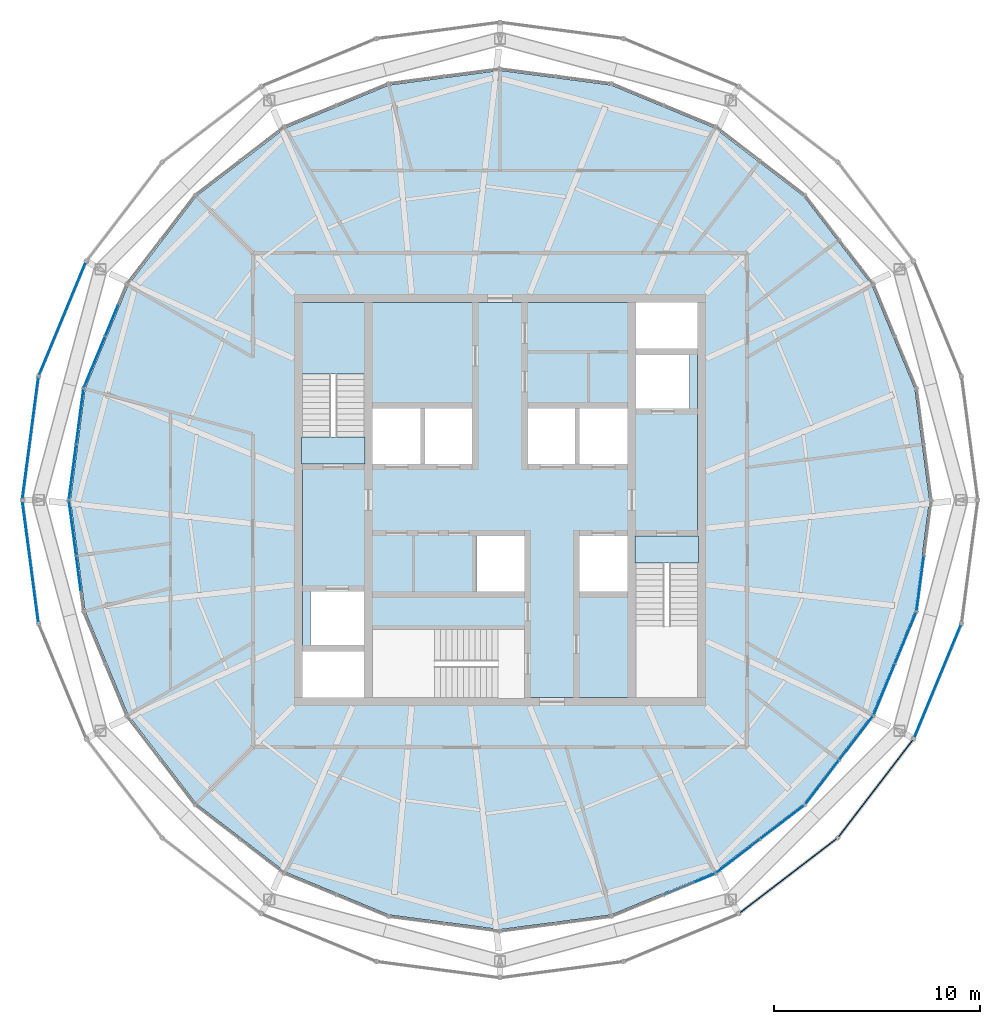
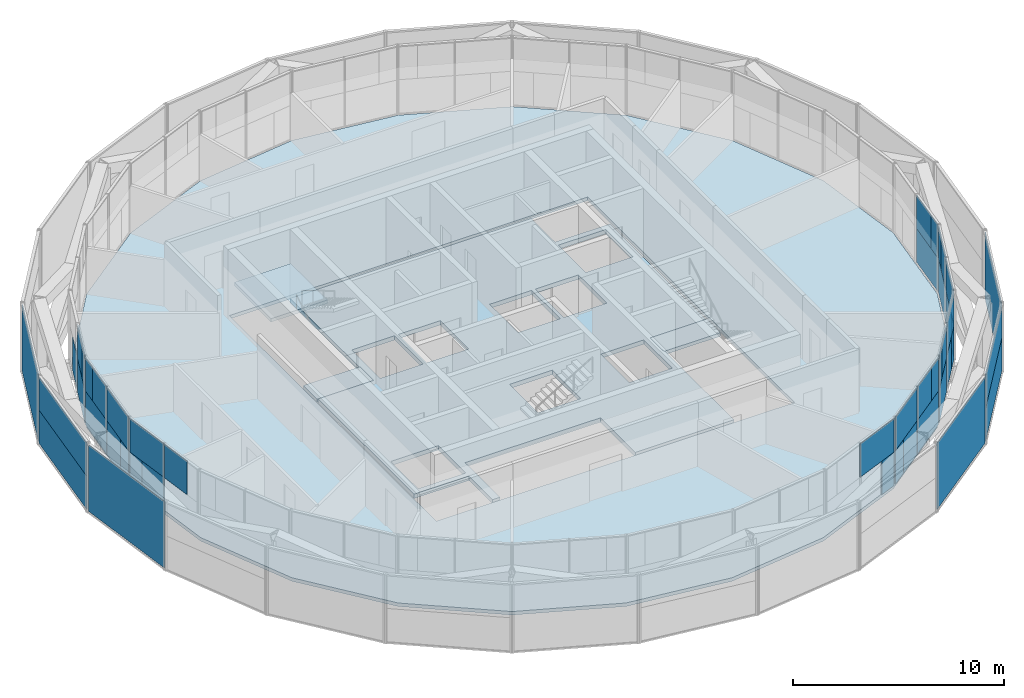
# One storey, part 11 of 17: 45 plates, 5 slabs, 15 elements without a shape of their own.
"""IFC4 building model written with IfcOpenShell, lengths in metres."""

from ifc_helpers import new_model, si_unit, direction, frame, origin, origin_2d, place, context, subcontext, project, spatial, polyline, rectangle, outline, extrude, material, layer, layer_set, type_object, element, aggregate, save


model = new_model("IFC4")

# Units and contexts
model_context = context("Model", 3, precision=1e-05, world=origin(), true_north=direction((0.0, 1.0)))
body_context = subcontext(model_context, "Body", "Model", "MODEL_VIEW")
ifc_project = project(units=[si_unit("LENGTHUNIT", "METRE"), si_unit("AREAUNIT", "SQUARE_METRE"), si_unit("VOLUMEUNIT", "CUBIC_METRE"), si_unit("PLANEANGLEUNIT", "RADIAN"), si_unit("MASSUNIT", "GRAM", prefix="KILO")], contexts=[model_context])

# Site, building, storey
site_placement = place(None, origin())
site = spatial("IfcSite", under=ifc_project, at=site_placement, CompositionType="ELEMENT")
building_placement = place(site_placement, origin())
building = spatial("IfcBuilding", under=site, at=building_placement, Name="Golbaran Civic Tower", CompositionType="ELEMENT")
storey_placement = place(building_placement, frame((0.0, 0.0, 280.0)))
storey = spatial("IfcBuildingStorey", under=building, at=storey_placement, Name="L68", CompositionType="ELEMENT", Elevation=280.0)

# Slabs
ifc_material_1 = material(Name="Concrete LC30/33 lightweight on steel deck", Category="concrete")
ifc_layer_1 = layer(ifc_material_1, 0.199951171875, Name="Concrete LC30/33 lightweight on steel deck")
ifc_layer_set_1 = layer_set([ifc_layer_1], Name="Concrete LC30/33 lightweight on steel deck")
slab_type_1 = type_object("IfcSlabType", Name="COMPOSITE FLOOR SLAB 200", PredefinedType="FLOOR", material=ifc_layer_set_1)
slab_1_placement = place(storey_placement, frame((0.0, 0.0, -0.199951171875)))
element("IfcSlab", 1, at=slab_1_placement, inside=storey, type_object=slab_type_1, Name="Floor slab L68", PredefinedType="FLOOR", context=body_context, shape_type="SweptSolid", body=[
    extrude(outline(polyline([(18.06201171875, -10.42822265625), (14.74755859375, -14.74755859375), (10.42822265625, -18.06201171875), (5.39794921875, -20.145751953125), (0.0, -20.856201171875), (-5.39794921875, -20.145751953125), (-10.42822265625, -18.06201171875), (-14.74755859375, -14.74755859375), (-18.06201171875, -10.42822265625), (-20.145751953125, -5.39794921875), (-20.856201171875, 0.0), (-20.145751953125, 5.39794921875), (-18.06201171875, 10.42822265625), (-14.74755859375, 14.74755859375), (-10.42822265625, 18.06201171875), (-5.39794921875, 20.145751953125), (0.0, 20.856201171875), (5.39794921875, 20.145751953125), (10.42822265625, 18.06201171875), (14.74755859375, 14.74755859375), (18.06201171875, 10.42822265625), (20.145751953125, 5.39794921875), (20.856201171875, 0.0), (20.145751953125, -5.39794921875), (18.06201171875, -10.42822265625)]), holes=[polyline([(-9.800048828125, 9.800048828125), (-9.800048828125, -9.800048828125), (9.800048828125, -9.800048828125), (9.800048828125, 9.800048828125), (-9.800048828125, 9.800048828125)])]), origin(), (0.0, 0.0, 1.0), 0.199951171875),
])
ifc_material_2 = material(Name="Concrete C35/45", Category="concrete")
ifc_layer_2 = layer(ifc_material_2, 0.25, Name="Concrete C35/45")
ifc_layer_set_2 = layer_set([ifc_layer_2], Name="Concrete C35/45")
slab_type_2 = type_object("IfcSlabType", Name="CORE FLOOR SLAB 250", PredefinedType="FLOOR", material=ifc_layer_set_2)
slab_2_placement = place(storey_placement, frame((0.0, 0.0, -0.25)))
element("IfcSlab", 2, at=slab_2_placement, inside=storey, type_object=slab_type_2, Name="Core floor slab L68", PredefinedType="FLOOR", context=body_context, shape_type="SweptSolid", body=[
    extrude(outline(polyline([(6.60009765625, -1.75), (6.60009765625, -9.60009765625), (1.199951171875, -9.60009765625), (1.199951171875, -6.300048828125), (-6.199951171875, -6.300048828125), (-6.199951171875, -9.60009765625), (-6.60009765625, -9.60009765625), (-6.60009765625, -7.35009765625), (-9.60009765625, -7.35009765625), (-9.60009765625, 1.75), (-6.60009765625, 1.75), (-6.60009765625, 9.60009765625), (6.60009765625, 9.60009765625), (6.60009765625, 7.35009765625), (9.60009765625, 7.35009765625), (9.60009765625, -1.75), (6.60009765625, -1.75)]), holes=[polyline([(9.199951171875, 7.050048828125), (6.60009765625, 7.050048828125), (6.60009765625, 4.449951171875), (9.199951171875, 4.449951171875), (9.199951171875, 7.050048828125)]), polyline([(6.199951171875, -1.75), (3.85009765625, -1.75), (3.85009765625, -4.449951171875), (6.199951171875, -4.449951171875), (6.199951171875, -1.75)]), polyline([(6.199951171875, 4.449951171875), (3.85009765625, 4.449951171875), (3.85009765625, 1.75), (6.199951171875, 1.75), (6.199951171875, 4.449951171875)]), polyline([(3.64990234375, 4.449951171875), (1.35009765625, 4.449951171875), (1.35009765625, 1.75), (3.64990234375, 1.75), (3.64990234375, 4.449951171875)]), polyline([(-1.14990234375, -1.75), (-1.14990234375, -4.449951171875), (1.199951171875, -4.449951171875), (1.199951171875, -1.75), (-1.14990234375, -1.75)]), polyline([(-1.35009765625, 4.449951171875), (-3.64990234375, 4.449951171875), (-3.64990234375, 1.75), (-1.35009765625, 1.75), (-1.35009765625, 4.449951171875)]), polyline([(-3.85009765625, 4.449951171875), (-6.199951171875, 4.449951171875), (-6.199951171875, 1.75), (-3.85009765625, 1.75), (-3.85009765625, 4.449951171875)]), polyline([(-6.60009765625, -4.449951171875), (-9.199951171875, -4.449951171875), (-9.199951171875, -7.050048828125), (-6.60009765625, -7.050048828125), (-6.60009765625, -4.449951171875)])]), origin(), (0.0, 0.0, 1.0), 0.25),
])

# Curtain wall, plate
ifc_material_3 = material(Name="Aluminium and glass", Category="aluminium")
curtain_wall_type_1 = type_object("IfcCurtainWallType", Name="INNER SKIN CURTAIN WALL EXECUTIVE", PredefinedType="NOTDEFINED", material=ifc_material_3)
curtain_wall_1_placement = place(storey_placement, origin())
curtain_wall_1 = element("IfcCurtainWall", 3, at=curtain_wall_1_placement, inside=storey, type_object=curtain_wall_type_1, Name="Inner skin L68 facet 11 CW2", ObjectType="INNER SKIN", PredefinedType="USERDEFINED")
ifc_material_4 = material(Name="Clear insulating glass", Category="glass")
ifc_layer_3 = layer(ifc_material_4, 0.031982421875, Name="Clear insulating glass")
ifc_layer_set_3 = layer_set([ifc_layer_3], Name="Clear insulating glass")
plate_type_1 = type_object("IfcPlateType", Name="INNER SKIN CURTAIN WALL EXECUTIVE GLAZED PANEL", PredefinedType="CURTAIN_PANEL", material=ifc_layer_set_3)
plate_1_placement = place(storey_placement, frame((-20.02880859375, 5.88916015625, 2.0), z_axis=(0.0, 0.0, 1.0), x_axis=(-0.382683432349, -0.923879532518, 0.0)))
plate_1 = element("IfcPlate", 4, at=plate_1_placement, type_object=plate_type_1, Name="CW2 panel 2.1 part 3", PredefinedType="CURTAIN_PANEL", context=body_context, shape_type="SweptSolid", body=[
    extrude(rectangle(XDim=0.897705078125, YDim=0.031982421875, at=origin_2d()), origin(), (0.0, 0.0, 1.0), 1.93994140625),
])

# Curtain wall, plates
curtain_wall_2_placement = place(storey_placement, origin())
curtain_wall_2 = element("IfcCurtainWall", 5, at=curtain_wall_2_placement, inside=storey, type_object=curtain_wall_type_1, Name="Inner skin L68 facet 12 CW2", ObjectType="INNER SKIN", PredefinedType="USERDEFINED")
plate_2_placement = place(storey_placement, frame((-20.2900390625, 4.914794921875, 2.0), z_axis=(0.0, 0.0, 1.0), x_axis=(-0.130526192237, -0.991444861372, 0.0)))
plate_2 = element("IfcPlate", 6, at=plate_2_placement, type_object=plate_type_1, Name="CW2 panel 1.1 part 2", PredefinedType="CURTAIN_PANEL", context=body_context, shape_type="SweptSolid", body=[
    extrude(rectangle(XDim=0.89697265625, YDim=0.031982421875, at=origin_2d()), origin(), (0.0, 0.0, 1.0), 1.93994140625),
])
plate_3_placement = place(storey_placement, frame((-20.865966796875, 0.540283203125, 0.06005859375), z_axis=(0.0, 0.0, 1.0), x_axis=(-0.130526192237, -0.991444861372, 0.0)))
plate_3 = element("IfcPlate", 7, at=plate_3_placement, type_object=plate_type_1, Name="CW2 panel 2.1 part 2", PredefinedType="CURTAIN_PANEL", context=body_context, shape_type="SweptSolid", body=[
    extrude(rectangle(XDim=0.9697265625, YDim=0.031982421875, at=origin_2d()), origin(), (0.0, 0.0, 1.0), 1.93994140625),
])

# Curtain wall, plate
curtain_wall_3_placement = place(storey_placement, origin())
curtain_wall_3 = element("IfcCurtainWall", 8, at=curtain_wall_3_placement, inside=storey, type_object=curtain_wall_type_1, Name="Inner skin L68 facet 13 CW2", ObjectType="INNER SKIN", PredefinedType="USERDEFINED")
plate_4_placement = place(storey_placement, frame((-20.865966796875, -0.540283203125, 0.06005859375), z_axis=(0.0, 0.0, 1.0), x_axis=(0.130526192237, -0.991444861372, 0.0)))
plate_4 = element("IfcPlate", 9, at=plate_4_placement, type_object=plate_type_1, Name="CW2 panel 1.1 part 1", PredefinedType="CURTAIN_PANEL", context=body_context, shape_type="SweptSolid", body=[
    extrude(rectangle(XDim=0.969970703125, YDim=0.031982421875, at=origin_2d()), origin(), (0.0, 0.0, 1.0), 1.93994140625),
])

curtain_wall_4_placement = place(storey_placement, origin())
curtain_wall_4 = element("IfcCurtainWall", 10, at=curtain_wall_4_placement, inside=storey, type_object=curtain_wall_type_1, Name="Inner skin L68 facet 20 CW2", ObjectType="INNER SKIN", PredefinedType="USERDEFINED")
plate_5_placement = place(storey_placement, frame((9.965087890625, -18.340576171875, 0.06005859375), z_axis=(0.0, 0.0, 1.0), x_axis=(0.923879532518, 0.382683432349, 0.0)))
plate_5 = element("IfcPlate", 11, at=plate_5_placement, type_object=plate_type_1, Name="CW2 panel 2.1 part 2", PredefinedType="CURTAIN_PANEL", context=body_context, shape_type="SweptSolid", body=[
    extrude(rectangle(XDim=0.9697265625, YDim=0.031982421875, at=origin_2d()), origin(), (0.0, 0.0, 1.0), 1.93994140625),
])

# Curtain wall, plates
curtain_wall_5_placement = place(storey_placement, origin())
curtain_wall_5 = element("IfcCurtainWall", 12, at=curtain_wall_5_placement, inside=storey, type_object=curtain_wall_type_1, Name="Inner skin L68 facet 21 CW2", ObjectType="INNER SKIN", PredefinedType="USERDEFINED")
plate_6_placement = place(storey_placement, frame((10.90087890625, -17.80029296875, 0.06005859375), z_axis=(0.0, 0.0, 1.0), x_axis=(0.793353340344, 0.608761428939, 0.0)))
plate_6 = element("IfcPlate", 13, at=plate_6_placement, type_object=plate_type_1, Name="CW2 panel 1.1 part 1", PredefinedType="CURTAIN_PANEL", context=body_context, shape_type="SweptSolid", body=[
    extrude(rectangle(XDim=0.969970703125, YDim=0.031982421875, at=origin_2d()), origin(), (0.0, 0.0, 1.0), 1.93994140625),
])
plate_7_placement = place(storey_placement, frame((14.40087890625, -15.114501953125, 2.0), z_axis=(0.0, 0.0, 1.0), x_axis=(0.793353340344, 0.608761428939, 0.0)))
plate_7 = element("IfcPlate", 14, at=plate_7_placement, type_object=plate_type_1, Name="CW2 panel 2.1 part 3", PredefinedType="CURTAIN_PANEL", context=body_context, shape_type="SweptSolid", body=[
    extrude(rectangle(XDim=0.897705078125, YDim=0.031982421875, at=origin_2d()), origin(), (0.0, 0.0, 1.0), 1.93994140625),
])

curtain_wall_6_placement = place(storey_placement, origin())
curtain_wall_6 = element("IfcCurtainWall", 15, at=curtain_wall_6_placement, inside=storey, type_object=curtain_wall_type_1, Name="Inner skin L68 facet 22 CW2", ObjectType="INNER SKIN", PredefinedType="USERDEFINED")
plate_8_placement = place(storey_placement, frame((15.1142578125, -14.4013671875, 2.0), z_axis=(0.0, 0.0, 1.0), x_axis=(0.608761428939, 0.793353340344, 0.0)))
plate_8 = element("IfcPlate", 16, at=plate_8_placement, type_object=plate_type_1, Name="CW2 panel 1.1 part 2", PredefinedType="CURTAIN_PANEL", context=body_context, shape_type="SweptSolid", body=[
    extrude(rectangle(XDim=0.89697265625, YDim=0.031982421875, at=origin_2d()), origin(), (0.0, 0.0, 1.0), 1.93994140625),
])
plate_9_placement = place(storey_placement, frame((17.80029296875, -10.90087890625, 0.06005859375), z_axis=(0.0, 0.0, 1.0), x_axis=(0.608761428939, 0.793353340344, 0.0)))
plate_9 = element("IfcPlate", 17, at=plate_9_placement, type_object=plate_type_1, Name="CW2 panel 2.1 part 2", PredefinedType="CURTAIN_PANEL", context=body_context, shape_type="SweptSolid", body=[
    extrude(rectangle(XDim=0.9697265625, YDim=0.031982421875, at=origin_2d()), origin(), (0.0, 0.0, 1.0), 1.93994140625),
])

curtain_wall_7_placement = place(storey_placement, origin())
curtain_wall_7 = element("IfcCurtainWall", 18, at=curtain_wall_7_placement, inside=storey, type_object=curtain_wall_type_1, Name="Inner skin L68 facet 23 CW2", ObjectType="INNER SKIN", PredefinedType="USERDEFINED")
plate_10_placement = place(storey_placement, frame((18.340576171875, -9.965087890625, 0.06005859375), z_axis=(0.0, 0.0, 1.0), x_axis=(0.382683432349, 0.923879532518, 0.0)))
plate_10 = element("IfcPlate", 19, at=plate_10_placement, type_object=plate_type_1, Name="CW2 panel 1.1 part 1", PredefinedType="CURTAIN_PANEL", context=body_context, shape_type="SweptSolid", body=[
    extrude(rectangle(XDim=0.969970703125, YDim=0.031982421875, at=origin_2d()), origin(), (0.0, 0.0, 1.0), 1.93994140625),
])
plate_11_placement = place(storey_placement, frame((20.02880859375, -5.88916015625, 2.0), z_axis=(0.0, 0.0, 1.0), x_axis=(0.382683432349, 0.923879532518, 0.0)))
plate_11 = element("IfcPlate", 20, at=plate_11_placement, type_object=plate_type_1, Name="CW2 panel 2.1 part 3", PredefinedType="CURTAIN_PANEL", context=body_context, shape_type="SweptSolid", body=[
    extrude(rectangle(XDim=0.897705078125, YDim=0.031982421875, at=origin_2d()), origin(), (0.0, 0.0, 1.0), 1.93994140625),
])

# Curtain wall, plate
curtain_wall_8_placement = place(storey_placement, origin())
curtain_wall_8 = element("IfcCurtainWall", 21, at=curtain_wall_8_placement, inside=storey, type_object=curtain_wall_type_1, Name="Inner skin L68 facet 24 CW2", ObjectType="INNER SKIN", PredefinedType="USERDEFINED")
plate_12_placement = place(storey_placement, frame((20.2900390625, -4.914794921875, 2.0), z_axis=(0.0, 0.0, 1.0), x_axis=(0.130526192237, 0.991444861372, 0.0)))
plate_12 = element("IfcPlate", 22, at=plate_12_placement, type_object=plate_type_1, Name="CW2 panel 1.1 part 2", PredefinedType="CURTAIN_PANEL", context=body_context, shape_type="SweptSolid", body=[
    extrude(rectangle(XDim=0.89697265625, YDim=0.031982421875, at=origin_2d()), origin(), (0.0, 0.0, 1.0), 1.93994140625),
])

# Plate
ifc_material_5 = material(Name="Aluminium faced opaque infill panel", Category="aluminium")
ifc_layer_4 = layer(ifc_material_5, 0.031982421875, Name="Aluminium faced opaque infill panel")
ifc_layer_set_4 = layer_set([ifc_layer_4], Name="Aluminium faced opaque infill panel")
plate_type_2 = type_object("IfcPlateType", Name="INNER SKIN CURTAIN WALL EXECUTIVE OPAQUE INFILL PANEL", PredefinedType="CURTAIN_PANEL", material=ifc_layer_set_4)
plate_13_placement = place(storey_placement, frame((-18.84619140625, 8.744140625, 0.06005859375), z_axis=(0.0, 0.0, 1.0), x_axis=(-0.382683432349, -0.923879532518, 0.0)))
plate_13 = element("IfcPlate", 23, at=plate_13_placement, type_object=plate_type_2, Name="CW2 infill panel 1.1 part 2", PredefinedType="CURTAIN_PANEL", context=body_context, shape_type="SweptSolid", body=[
    extrude(rectangle(XDim=1.6728515625, YDim=0.031982421875, at=origin_2d()), origin(), (0.0, 0.0, 1.0), 1.93994140625),
])

plate_14_placement = place(storey_placement, frame((-19.69482421875, 6.695068359375, 0.06005859375), z_axis=(0.0, 0.0, 1.0), x_axis=(-0.382683432349, -0.923879532518, 0.0)))
plate_14 = element("IfcPlate", 24, at=plate_14_placement, type_object=plate_type_2, Name="CW2 infill panel 2.1 part 1", PredefinedType="CURTAIN_PANEL", context=body_context, shape_type="SweptSolid", body=[
    extrude(rectangle(XDim=2.642822265625, YDim=0.031982421875, at=origin_2d()), origin(), (0.0, 0.0, 1.0), 1.93994140625),
])

plate_15_placement = place(storey_placement, frame((-19.523193359375, 7.10986328125, 2.0), z_axis=(0.0, 0.0, 1.0), x_axis=(-0.382683432349, -0.923879532518, 0.0)))
plate_15 = element("IfcPlate", 25, at=plate_15_placement, type_object=plate_type_2, Name="CW2 infill panel 2.1 part 2", PredefinedType="CURTAIN_PANEL", context=body_context, shape_type="SweptSolid", body=[
    extrude(rectangle(XDim=1.7451171875, YDim=0.031982421875, at=origin_2d()), origin(), (0.0, 0.0, 1.0), 1.93994140625),
])

aggregate(curtain_wall_1, [plate_13, plate_14, plate_15, plate_1])

plate_16_placement = place(storey_placement, frame((-20.40380859375, 4.04931640625, 0.06005859375), z_axis=(0.0, 0.0, 1.0), x_axis=(-0.130526192237, -0.991444861372, 0.0)))
plate_16 = element("IfcPlate", 26, at=plate_16_placement, type_object=plate_type_2, Name="CW2 infill panel 1.1 part 1", PredefinedType="CURTAIN_PANEL", context=body_context, shape_type="SweptSolid", body=[
    extrude(rectangle(XDim=2.642822265625, YDim=0.031982421875, at=origin_2d()), origin(), (0.0, 0.0, 1.0), 1.93994140625),
])

plate_17_placement = place(storey_placement, frame((-20.46240234375, 3.604736328125, 2.0), z_axis=(0.0, 0.0, 1.0), x_axis=(-0.130526192237, -0.991444861372, 0.0)))
plate_17 = element("IfcPlate", 27, at=plate_17_placement, type_object=plate_type_2, Name="CW2 infill panel 1.1 part 3", PredefinedType="CURTAIN_PANEL", context=body_context, shape_type="SweptSolid", body=[
    extrude(rectangle(XDim=1.745849609375, YDim=0.031982421875, at=origin_2d()), origin(), (0.0, 0.0, 1.0), 1.93994140625),
])

plate_18_placement = place(storey_placement, frame((-20.693359375, 1.850341796875, 0.06005859375), z_axis=(0.0, 0.0, 1.0), x_axis=(-0.130526192237, -0.991444861372, 0.0)))
plate_18 = element("IfcPlate", 28, at=plate_18_placement, type_object=plate_type_2, Name="CW2 infill panel 2.1 part 1", PredefinedType="CURTAIN_PANEL", context=body_context, shape_type="SweptSolid", body=[
    extrude(rectangle(XDim=1.673095703125, YDim=0.031982421875, at=origin_2d()), origin(), (0.0, 0.0, 1.0), 1.93994140625),
])

plate_19_placement = place(storey_placement, frame((-20.756591796875, 1.36962890625, 2.0), z_axis=(0.0, 0.0, 1.0), x_axis=(-0.130526192237, -0.991444861372, 0.0)))
plate_19 = element("IfcPlate", 29, at=plate_19_placement, type_object=plate_type_2, Name="CW2 infill panel 2.1 part 3", PredefinedType="CURTAIN_PANEL", context=body_context, shape_type="SweptSolid", body=[
    extrude(rectangle(XDim=2.642822265625, YDim=0.031982421875, at=origin_2d()), origin(), (0.0, 0.0, 1.0), 1.93994140625),
])

aggregate(curtain_wall_2, [plate_16, plate_2, plate_17, plate_18, plate_3, plate_19])

plate_20_placement = place(storey_placement, frame((-20.693359375, -1.850341796875, 0.06005859375), z_axis=(0.0, 0.0, 1.0), x_axis=(0.130526192237, -0.991444861372, 0.0)))
plate_20 = element("IfcPlate", 30, at=plate_20_placement, type_object=plate_type_2, Name="CW2 infill panel 1.1 part 2", PredefinedType="CURTAIN_PANEL", context=body_context, shape_type="SweptSolid", body=[
    extrude(rectangle(XDim=1.6728515625, YDim=0.031982421875, at=origin_2d()), origin(), (0.0, 0.0, 1.0), 1.93994140625),
])

plate_21_placement = place(storey_placement, frame((-20.756591796875, -1.36962890625, 2.0), z_axis=(0.0, 0.0, 1.0), x_axis=(0.130526192237, -0.991444861372, 0.0)))
plate_21 = element("IfcPlate", 31, at=plate_21_placement, type_object=plate_type_2, Name="CW2 infill panel 1.1 part 3", PredefinedType="CURTAIN_PANEL", context=body_context, shape_type="SweptSolid", body=[
    extrude(rectangle(XDim=2.642822265625, YDim=0.031982421875, at=origin_2d()), origin(), (0.0, 0.0, 1.0), 1.93994140625),
])

plate_22_placement = place(storey_placement, frame((-20.46240234375, -3.604248046875, 2.0), z_axis=(0.0, 0.0, 1.0), x_axis=(0.130526192237, -0.991444861372, 0.0)))
plate_22 = element("IfcPlate", 32, at=plate_22_placement, type_object=plate_type_2, Name="CW2 infill panel 2.1 part 2", PredefinedType="CURTAIN_PANEL", context=body_context, shape_type="SweptSolid", body=[
    extrude(rectangle(XDim=1.7451171875, YDim=0.031982421875, at=origin_2d()), origin(), (0.0, 0.0, 1.0), 1.93994140625),
])

aggregate(curtain_wall_3, [plate_4, plate_20, plate_21, plate_22])

plate_23_placement = place(storey_placement, frame((9.192138671875, -18.66064453125, 2.0), z_axis=(0.0, 0.0, 1.0), x_axis=(0.923879532518, 0.382683432349, 0.0)))
plate_23 = element("IfcPlate", 33, at=plate_23_placement, type_object=plate_type_2, Name="CW2 infill panel 2.1 part 3", PredefinedType="CURTAIN_PANEL", context=body_context, shape_type="SweptSolid", body=[
    extrude(rectangle(XDim=2.642822265625, YDim=0.031982421875, at=origin_2d()), origin(), (0.0, 0.0, 1.0), 1.93994140625),
])

aggregate(curtain_wall_4, [plate_5, plate_23])

plate_24_placement = place(storey_placement, frame((11.94921875, -16.995849609375, 0.06005859375), z_axis=(0.0, 0.0, 1.0), x_axis=(0.793353340344, 0.608761428939, 0.0)))
plate_24 = element("IfcPlate", 34, at=plate_24_placement, type_object=plate_type_2, Name="CW2 infill panel 1.1 part 2", PredefinedType="CURTAIN_PANEL", context=body_context, shape_type="SweptSolid", body=[
    extrude(rectangle(XDim=1.6728515625, YDim=0.031982421875, at=origin_2d()), origin(), (0.0, 0.0, 1.0), 1.93994140625),
])

plate_25_placement = place(storey_placement, frame((11.564453125, -17.291015625, 2.0), z_axis=(0.0, 0.0, 1.0), x_axis=(0.793353340344, 0.608761428939, 0.0)))
plate_25 = element("IfcPlate", 35, at=plate_25_placement, type_object=plate_type_2, Name="CW2 infill panel 1.1 part 3", PredefinedType="CURTAIN_PANEL", context=body_context, shape_type="SweptSolid", body=[
    extrude(rectangle(XDim=2.642822265625, YDim=0.031982421875, at=origin_2d()), origin(), (0.0, 0.0, 1.0), 1.93994140625),
])

plate_26_placement = place(storey_placement, frame((13.708740234375, -15.645751953125, 0.06005859375), z_axis=(0.0, 0.0, 1.0), x_axis=(0.793353340344, 0.608761428939, 0.0)))
plate_26 = element("IfcPlate", 36, at=plate_26_placement, type_object=plate_type_2, Name="CW2 infill panel 2.1 part 1", PredefinedType="CURTAIN_PANEL", context=body_context, shape_type="SweptSolid", body=[
    extrude(rectangle(XDim=2.642822265625, YDim=0.031982421875, at=origin_2d()), origin(), (0.0, 0.0, 1.0), 1.93994140625),
])

plate_27_placement = place(storey_placement, frame((13.3525390625, -15.9189453125, 2.0), z_axis=(0.0, 0.0, 1.0), x_axis=(0.793353340344, 0.608761428939, 0.0)))
plate_27 = element("IfcPlate", 37, at=plate_27_placement, type_object=plate_type_2, Name="CW2 infill panel 2.1 part 2", PredefinedType="CURTAIN_PANEL", context=body_context, shape_type="SweptSolid", body=[
    extrude(rectangle(XDim=1.7451171875, YDim=0.031982421875, at=origin_2d()), origin(), (0.0, 0.0, 1.0), 1.93994140625),
])

aggregate(curtain_wall_5, [plate_6, plate_24, plate_25, plate_26, plate_27, plate_7])

plate_28_placement = place(storey_placement, frame((15.645751953125, -13.708740234375, 0.06005859375), z_axis=(0.0, 0.0, 1.0), x_axis=(0.608761428939, 0.793353340344, 0.0)))
plate_28 = element("IfcPlate", 38, at=plate_28_placement, type_object=plate_type_2, Name="CW2 infill panel 1.1 part 1", PredefinedType="CURTAIN_PANEL", context=body_context, shape_type="SweptSolid", body=[
    extrude(rectangle(XDim=2.642822265625, YDim=0.031982421875, at=origin_2d()), origin(), (0.0, 0.0, 1.0), 1.93994140625),
])

plate_29_placement = place(storey_placement, frame((15.918701171875, -13.35302734375, 2.0), z_axis=(0.0, 0.0, 1.0), x_axis=(0.608761428939, 0.793353340344, 0.0)))
plate_29 = element("IfcPlate", 39, at=plate_29_placement, type_object=plate_type_2, Name="CW2 infill panel 1.1 part 3", PredefinedType="CURTAIN_PANEL", context=body_context, shape_type="SweptSolid", body=[
    extrude(rectangle(XDim=1.745849609375, YDim=0.031982421875, at=origin_2d()), origin(), (0.0, 0.0, 1.0), 1.93994140625),
])

plate_30_placement = place(storey_placement, frame((16.995849609375, -11.94921875, 0.06005859375), z_axis=(0.0, 0.0, 1.0), x_axis=(0.608761428939, 0.793353340344, 0.0)))
plate_30 = element("IfcPlate", 40, at=plate_30_placement, type_object=plate_type_2, Name="CW2 infill panel 2.1 part 1", PredefinedType="CURTAIN_PANEL", context=body_context, shape_type="SweptSolid", body=[
    extrude(rectangle(XDim=1.673095703125, YDim=0.031982421875, at=origin_2d()), origin(), (0.0, 0.0, 1.0), 1.93994140625),
])

plate_31_placement = place(storey_placement, frame((17.291015625, -11.564453125, 2.0), z_axis=(0.0, 0.0, 1.0), x_axis=(0.608761428939, 0.793353340344, 0.0)))
plate_31 = element("IfcPlate", 41, at=plate_31_placement, type_object=plate_type_2, Name="CW2 infill panel 2.1 part 3", PredefinedType="CURTAIN_PANEL", context=body_context, shape_type="SweptSolid", body=[
    extrude(rectangle(XDim=2.642822265625, YDim=0.031982421875, at=origin_2d()), origin(), (0.0, 0.0, 1.0), 1.93994140625),
])

aggregate(curtain_wall_6, [plate_28, plate_8, plate_29, plate_30, plate_9, plate_31])

plate_32_placement = place(storey_placement, frame((18.84619140625, -8.744140625, 0.06005859375), z_axis=(0.0, 0.0, 1.0), x_axis=(0.382683432349, 0.923879532518, 0.0)))
plate_32 = element("IfcPlate", 42, at=plate_32_placement, type_object=plate_type_2, Name="CW2 infill panel 1.1 part 2", PredefinedType="CURTAIN_PANEL", context=body_context, shape_type="SweptSolid", body=[
    extrude(rectangle(XDim=1.6728515625, YDim=0.031982421875, at=origin_2d()), origin(), (0.0, 0.0, 1.0), 1.93994140625),
])

plate_33_placement = place(storey_placement, frame((18.66064453125, -9.192138671875, 2.0), z_axis=(0.0, 0.0, 1.0), x_axis=(0.382683432349, 0.923879532518, 0.0)))
plate_33 = element("IfcPlate", 43, at=plate_33_placement, type_object=plate_type_2, Name="CW2 infill panel 1.1 part 3", PredefinedType="CURTAIN_PANEL", context=body_context, shape_type="SweptSolid", body=[
    extrude(rectangle(XDim=2.642822265625, YDim=0.031982421875, at=origin_2d()), origin(), (0.0, 0.0, 1.0), 1.93994140625),
])

plate_34_placement = place(storey_placement, frame((19.69482421875, -6.695068359375, 0.06005859375), z_axis=(0.0, 0.0, 1.0), x_axis=(0.382683432349, 0.923879532518, 0.0)))
plate_34 = element("IfcPlate", 44, at=plate_34_placement, type_object=plate_type_2, Name="CW2 infill panel 2.1 part 1", PredefinedType="CURTAIN_PANEL", context=body_context, shape_type="SweptSolid", body=[
    extrude(rectangle(XDim=2.642822265625, YDim=0.031982421875, at=origin_2d()), origin(), (0.0, 0.0, 1.0), 1.93994140625),
])

plate_35_placement = place(storey_placement, frame((19.523193359375, -7.10986328125, 2.0), z_axis=(0.0, 0.0, 1.0), x_axis=(0.382683432349, 0.923879532518, 0.0)))
plate_35 = element("IfcPlate", 45, at=plate_35_placement, type_object=plate_type_2, Name="CW2 infill panel 2.1 part 2", PredefinedType="CURTAIN_PANEL", context=body_context, shape_type="SweptSolid", body=[
    extrude(rectangle(XDim=1.7451171875, YDim=0.031982421875, at=origin_2d()), origin(), (0.0, 0.0, 1.0), 1.93994140625),
])

aggregate(curtain_wall_7, [plate_10, plate_32, plate_33, plate_34, plate_35, plate_11])

plate_36_placement = place(storey_placement, frame((20.40380859375, -4.04931640625, 0.06005859375), z_axis=(0.0, 0.0, 1.0), x_axis=(0.130526192237, 0.991444861372, 0.0)))
plate_36 = element("IfcPlate", 46, at=plate_36_placement, type_object=plate_type_2, Name="CW2 infill panel 1.1 part 1", PredefinedType="CURTAIN_PANEL", context=body_context, shape_type="SweptSolid", body=[
    extrude(rectangle(XDim=2.642822265625, YDim=0.031982421875, at=origin_2d()), origin(), (0.0, 0.0, 1.0), 1.93994140625),
])

plate_37_placement = place(storey_placement, frame((20.46240234375, -3.604736328125, 2.0), z_axis=(0.0, 0.0, 1.0), x_axis=(0.130526192237, 0.991444861372, 0.0)))
plate_37 = element("IfcPlate", 47, at=plate_37_placement, type_object=plate_type_2, Name="CW2 infill panel 1.1 part 3", PredefinedType="CURTAIN_PANEL", context=body_context, shape_type="SweptSolid", body=[
    extrude(rectangle(XDim=1.745849609375, YDim=0.031982421875, at=origin_2d()), origin(), (0.0, 0.0, 1.0), 1.93994140625),
])

aggregate(curtain_wall_8, [plate_36, plate_12, plate_37])

# Curtain wall, plates
curtain_wall_type_2 = type_object("IfcCurtainWallType", Name="OUTER SKIN TERRACOTTA SCREEN", PredefinedType="NOTDEFINED", material=ifc_material_3)
curtain_wall_9_placement = place(storey_placement, origin())
curtain_wall_9 = element("IfcCurtainWall", 48, at=curtain_wall_9_placement, inside=storey, type_object=curtain_wall_type_2, Name="Outer skin L68 facet 12 CW3", ObjectType="OUTER SKIN", PredefinedType="USERDEFINED")
ifc_material_6 = material(Name="Terracotta baguette screen", Category="masonry")
ifc_layer_5 = layer(ifc_material_6, 0.0400390625, Name="Terracotta baguette screen")
ifc_layer_set_5 = layer_set([ifc_layer_5], Name="Terracotta baguette screen")
plate_type_3 = type_object("IfcPlateType", Name="OUTER SKIN TERRACOTTA INFILL PANEL", PredefinedType="CURTAIN_PANEL", material=ifc_layer_set_5)
plate_38_placement = place(storey_placement, frame((-22.8046875, 3.002197265625, -0.6298828125), z_axis=(0.0, 0.0, 1.0), x_axis=(-0.13052619222, -0.991444861374, 0.0)))
plate_38 = element("IfcPlate", 49, at=plate_38_placement, type_object=plate_type_3, Name="CW3 infill panel 1.1 part 1", PredefinedType="CURTAIN_PANEL", context=body_context, shape_type="SweptSolid", body=[
    extrude(rectangle(XDim=5.896484375, YDim=0.0400390625, at=origin_2d()), origin(), (0.0, 0.0, 1.0), 1.919921875),
])
plate_39_placement = place(storey_placement, frame((-22.8046875, 3.002197265625, 1.2900390625), z_axis=(0.0, 0.0, 1.0), x_axis=(-0.13052619222, -0.991444861374, 0.0)))
plate_39 = element("IfcPlate", 50, at=plate_39_placement, type_object=plate_type_3, Name="CW3 infill panel 1.1 part 2", PredefinedType="CURTAIN_PANEL", context=body_context, shape_type="SweptSolid", body=[
    extrude(rectangle(XDim=5.896484375, YDim=0.0400390625, at=origin_2d()), origin(), (0.0, 0.0, 1.0), 1.919921875),
])
aggregate(curtain_wall_9, [plate_38, plate_39])

curtain_wall_10_placement = place(storey_placement, origin())
curtain_wall_10 = element("IfcCurtainWall", 51, at=curtain_wall_10_placement, inside=storey, type_object=curtain_wall_type_2, Name="Outer skin L68 facet 22 CW3", ObjectType="OUTER SKIN", PredefinedType="USERDEFINED")
plate_40_placement = place(storey_placement, frame((18.248291015625, -14.00244140625, -0.6298828125), z_axis=(0.0, 0.0, 1.0), x_axis=(0.608761428939, 0.793353340344, 0.0)))
plate_40 = element("IfcPlate", 52, at=plate_40_placement, type_object=plate_type_3, Name="CW3 infill panel 1.1 part 1", PredefinedType="CURTAIN_PANEL", context=body_context, shape_type="SweptSolid", body=[
    extrude(rectangle(XDim=5.896484375, YDim=0.0400390625, at=origin_2d()), origin(), (0.0, 0.0, 1.0), 1.919921875),
])
plate_41_placement = place(storey_placement, frame((18.248291015625, -14.00244140625, 1.2900390625), z_axis=(0.0, 0.0, 1.0), x_axis=(0.608761428939, 0.793353340344, 0.0)))
plate_41 = element("IfcPlate", 53, at=plate_41_placement, type_object=plate_type_3, Name="CW3 infill panel 1.1 part 2", PredefinedType="CURTAIN_PANEL", context=body_context, shape_type="SweptSolid", body=[
    extrude(rectangle(XDim=5.896484375, YDim=0.0400390625, at=origin_2d()), origin(), (0.0, 0.0, 1.0), 1.919921875),
])
aggregate(curtain_wall_10, [plate_40, plate_41])

# Curtain wall, plate
curtain_wall_11_placement = place(storey_placement, origin())
curtain_wall_11 = element("IfcCurtainWall", 54, at=curtain_wall_11_placement, inside=storey, type_object=curtain_wall_type_2, Name="Outer skin L68 facet 11 CW3", ObjectType="OUTER SKIN", PredefinedType="USERDEFINED")
ifc_layer_6 = layer(ifc_material_6, 0.0400390625, Name="Terracotta baguette screen")
ifc_layer_set_6 = layer_set([ifc_layer_6], Name="Terracotta baguette screen")
plate_type_4 = type_object("IfcPlateType", Name="OUTER SKIN TERRACOTTA SCREEN PANEL", PredefinedType="CURTAIN_PANEL", material=ifc_layer_set_6)
plate_42_placement = place(storey_placement, frame((-21.250732421875, 8.80224609375, -0.6298828125), z_axis=(0.0, 0.0, 1.0), x_axis=(-0.382683432333, -0.923879532525, 0.0)))
plate_42 = element("IfcPlate", 55, at=plate_42_placement, type_object=plate_type_4, Name="CW3 terracotta screen panel 1.1", PredefinedType="CURTAIN_PANEL", context=body_context, shape_type="SweptSolid", body=[
    extrude(rectangle(XDim=5.896484375, YDim=0.0400390625, at=origin_2d()), origin(), (0.0, 0.0, 1.0), 3.840087890625),
])
aggregate(curtain_wall_11, [plate_42])

curtain_wall_12_placement = place(storey_placement, origin())
curtain_wall_12 = element("IfcCurtainWall", 56, at=curtain_wall_12_placement, inside=storey, type_object=curtain_wall_type_2, Name="Outer skin L68 facet 13 CW3", ObjectType="OUTER SKIN", PredefinedType="USERDEFINED")
plate_43_placement = place(storey_placement, frame((-22.8046875, -3.002197265625, -0.6298828125), z_axis=(0.0, 0.0, 1.0), x_axis=(0.13052619222, -0.991444861374, 0.0)))
plate_43 = element("IfcPlate", 57, at=plate_43_placement, type_object=plate_type_4, Name="CW3 terracotta screen panel 1.1", PredefinedType="CURTAIN_PANEL", context=body_context, shape_type="SweptSolid", body=[
    extrude(rectangle(XDim=5.896484375, YDim=0.0400390625, at=origin_2d()), origin(), (0.0, 0.0, 1.0), 3.840087890625),
])
aggregate(curtain_wall_12, [plate_43])

curtain_wall_13_placement = place(storey_placement, origin())
curtain_wall_13 = element("IfcCurtainWall", 58, at=curtain_wall_13_placement, inside=storey, type_object=curtain_wall_type_2, Name="Outer skin L68 facet 21 CW3", ObjectType="OUTER SKIN", PredefinedType="USERDEFINED")
plate_44_placement = place(storey_placement, frame((14.00244140625, -18.248291015625, -0.6298828125), z_axis=(0.0, 0.0, 1.0), x_axis=(0.793353340344, 0.608761428939, 0.0)))
plate_44 = element("IfcPlate", 59, at=plate_44_placement, type_object=plate_type_4, Name="CW3 terracotta screen panel 1.1", PredefinedType="CURTAIN_PANEL", context=body_context, shape_type="SweptSolid", body=[
    extrude(rectangle(XDim=5.896484375, YDim=0.0400390625, at=origin_2d()), origin(), (0.0, 0.0, 1.0), 3.840087890625),
])
aggregate(curtain_wall_13, [plate_44])

curtain_wall_14_placement = place(storey_placement, origin())
curtain_wall_14 = element("IfcCurtainWall", 60, at=curtain_wall_14_placement, inside=storey, type_object=curtain_wall_type_2, Name="Outer skin L68 facet 23 CW3", ObjectType="OUTER SKIN", PredefinedType="USERDEFINED")
plate_45_placement = place(storey_placement, frame((21.250732421875, -8.80224609375, -0.6298828125), z_axis=(0.0, 0.0, 1.0), x_axis=(0.382683432333, 0.923879532525, 0.0)))
plate_45 = element("IfcPlate", 61, at=plate_45_placement, type_object=plate_type_4, Name="CW3 terracotta screen panel 1.1", PredefinedType="CURTAIN_PANEL", context=body_context, shape_type="SweptSolid", body=[
    extrude(rectangle(XDim=5.896484375, YDim=0.0400390625, at=origin_2d()), origin(), (0.0, 0.0, 1.0), 3.840087890625),
])
aggregate(curtain_wall_14, [plate_45])

# Stair, slab
stair_type = type_object("IfcStairType", Name="EXIT STAIR 3000 x 7850, 4000 RISE", PredefinedType="HALF_TURN_STAIR", material=ifc_material_2)
stair_placement = place(storey_placement, origin())
stair = element("IfcStair", 62, at=stair_placement, inside=storey, type_object=stair_type, Name="Stair S1 L68", PredefinedType="HALF_TURN_STAIR")
ifc_layer_7 = layer(ifc_material_2, 0.199951171875, Name="Concrete C35/45")
ifc_layer_set_7 = layer_set([ifc_layer_7], Name="Concrete C35/45")
slab_type_3 = type_object("IfcSlabType", Name="STAIR LANDING 200", PredefinedType="LANDING", material=ifc_layer_set_7)
slab_3_placement = place(storey_placement, frame((0.0, 0.0, 1.800048828125)))
slab_3 = element("IfcSlab", 63, at=slab_3_placement, type_object=slab_type_3, Name="ST30078-40 landing 1", PredefinedType="LANDING", context=body_context, shape_type="SweptSolid", body=[
    extrude(outline(polyline([(-9.64990234375, 6.125), (-9.64990234375, 9.60009765625), (-6.550048828125, 9.60009765625), (-6.550048828125, 6.125), (-9.64990234375, 6.125)])), origin(), (0.0, 0.0, 1.0), 0.199951171875),
])
aggregate(stair, [slab_3])

# Slabs
slab_4_placement = place(storey_placement, frame((0.0, 0.0, -0.199951171875)))
element("IfcSlab", 64, at=slab_4_placement, inside=storey, type_object=slab_type_3, Name="Stair S1 floor landing L68", PredefinedType="LANDING", context=body_context, shape_type="SweptSolid", body=[
    extrude(outline(polyline([(-9.64990234375, 1.75), (-9.64990234375, 3.054931640625), (-6.550048828125, 3.054931640625), (-6.550048828125, 1.75), (-9.64990234375, 1.75)])), origin(), (0.0, 0.0, 1.0), 0.199951171875),
])
slab_5_placement = place(storey_placement, frame((0.0, 0.0, -0.199951171875)))
element("IfcSlab", 65, at=slab_5_placement, inside=storey, type_object=slab_type_3, Name="Stair S2 floor landing L68", PredefinedType="LANDING", context=body_context, shape_type="SweptSolid", body=[
    extrude(outline(polyline([(9.64990234375, -1.75), (9.64990234375, -3.054931640625), (6.550048828125, -3.054931640625), (6.550048828125, -1.75), (9.64990234375, -1.75)])), origin(), (0.0, 0.0, 1.0), 0.199951171875),
])

save(model, "model.ifc")
